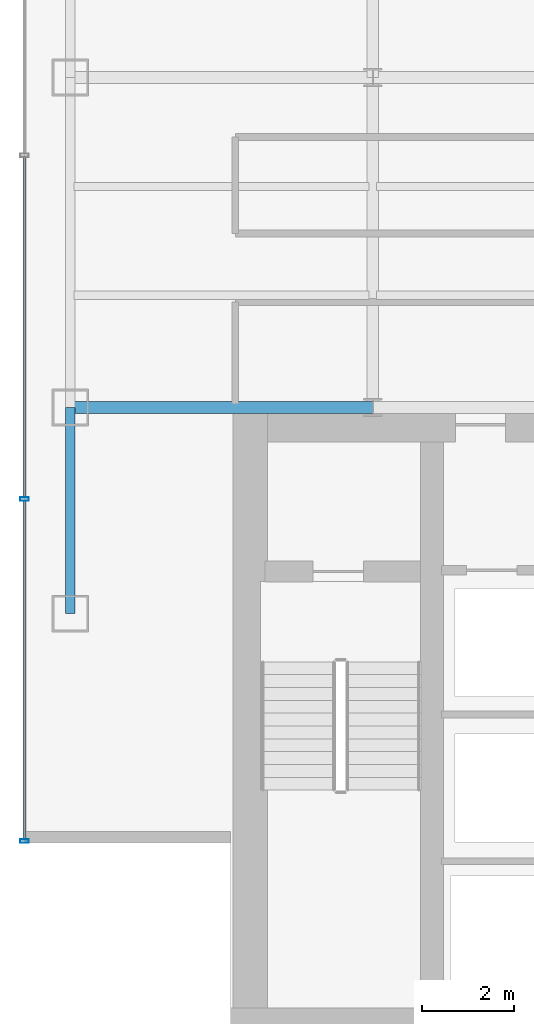
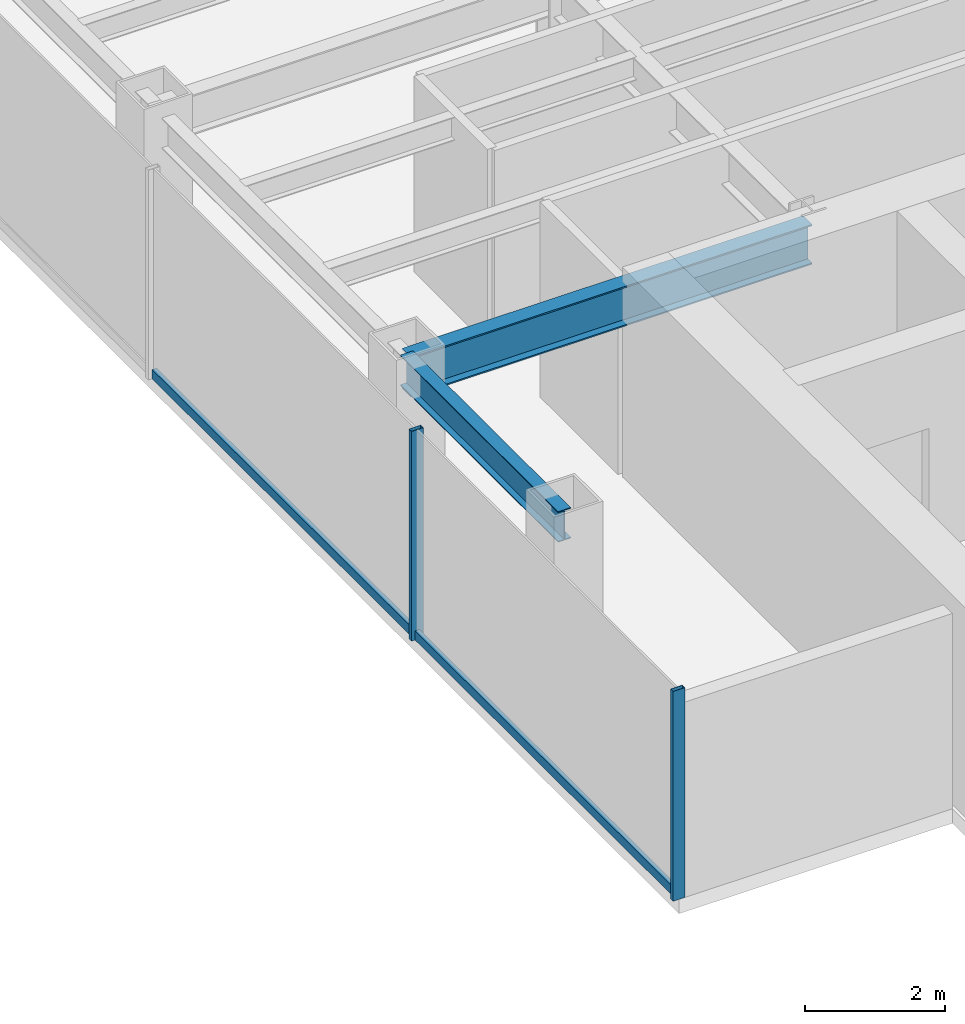
# One storey, part 2 of 26: 4 members, 2 beams, 1 element without a shape of its own.
"""IFC4 building model written with IfcOpenShell, lengths in metres."""

from ifc_helpers import new_model, si_unit, derived_unit, direction, frame, origin, origin_2d, place, context, subcontext, project, spatial, hollow_rectangle, i_section, extrude, source, transform, mapped, material, material_profile, profile_set, type_object, element, aggregate, save


model = new_model("IFC4")

# Units and contexts
model_context = context("Model", 3, precision=1e-05, world=origin(), true_north=direction((0.0, 1.0)))
body_context = subcontext(model_context, "Body", "Model", "MODEL_VIEW")
ifc_project = project(units=[si_unit("LENGTHUNIT", "METRE"), si_unit("AREAUNIT", "SQUARE_METRE"), si_unit("VOLUMEUNIT", "CUBIC_METRE"), si_unit("PLANEANGLEUNIT", "RADIAN"), si_unit("MASSUNIT", "GRAM", prefix="KILO"), derived_unit("THERMALTRANSMITTANCEUNIT", [(si_unit("POWERUNIT", "WATT"), 1), (si_unit("LENGTHUNIT", "METRE"), -2), (si_unit("THERMODYNAMICTEMPERATUREUNIT", "KELVIN"), -1)])], contexts=[model_context])

# Site, building, storey
site_placement = place(None, origin())
site = spatial("IfcSite", under=ifc_project, at=site_placement, CompositionType="ELEMENT")
building_placement = place(site_placement, origin())
building = spatial("IfcBuilding", under=site, at=building_placement, Name="Skarnbrae Concourse Arena and Tower", CompositionType="ELEMENT")
storey_placement = place(building_placement, frame((0.0, 0.0, 114.199951171875)))
storey = spatial("IfcBuildingStorey", under=building, at=storey_placement, Name="L28", CompositionType="ELEMENT", Elevation=114.199951171875)

# Beams
ifc_material_1 = material(Name="Steel CSA G40.21 350W", Category="steel")
ifc_material_profile_1 = material_profile(ifc_material_1, i_section(OverallWidth=0.256103515625, OverallDepth=0.693115234375, WebThickness=0.014404296875, FlangeThickness=0.023681640625, at=origin_2d()), Name="W690X170")
ifc_profile_set_1 = profile_set([ifc_material_profile_1], Name="Steel CSA G40.21 350W")
beam_type_1 = type_object("IfcBeamType", Name="BM-GIRD-W690X170", PredefinedType="BEAM", material=ifc_profile_set_1)
shared_shape_1 = source(origin(), body_context, "Body", "SweptSolid", [
    extrude(i_section(OverallWidth=0.256103515625, OverallDepth=0.693115234375, WebThickness=0.014404296875, FlangeThickness=0.023681640625, at=origin_2d()), origin(), (0.0, 0.0, 1.0), 6.60009765625),
])
beam_1_placement = place(storey_placement, frame((1.0, 14.0, 3.053466796875), z_axis=(1.0, 0.0, 0.0), x_axis=(0.0, 1.0, 0.0)))
element("IfcBeam", 1, at=beam_1_placement, inside=storey, type_object=beam_type_1, Name="L28 Primary E-W girder Y14.0-1", PredefinedType="BEAM", context=body_context, shape_type="MappedRepresentation", body=[
    mapped(shared_shape_1, transform((0.0, 0.0, 0.0))),
])
ifc_material_profile_2 = material_profile(ifc_material_1, i_section(OverallWidth=0.208984375, OverallDepth=0.532958984375, WebThickness=0.01025390625, FlangeThickness=0.015625, at=origin_2d()), Name="W530X92")
ifc_profile_set_2 = profile_set([ifc_material_profile_2], Name="Steel CSA G40.21 350W")
beam_type_2 = type_object("IfcBeamType", Name="BM-SPAN-W530X92", PredefinedType="SPANDREL", material=ifc_profile_set_2)
shared_shape_2 = source(origin(), body_context, "Body", "SweptSolid", [
    extrude(i_section(OverallWidth=0.208984375, OverallDepth=0.532958984375, WebThickness=0.01025390625, FlangeThickness=0.015625, at=origin_2d()), origin(), (0.0, 0.0, 1.0), 4.5),
])
beam_2_placement = place(storey_placement, frame((1.0, 9.5, 3.133544921875), z_axis=(0.0, 1.0, 0.0), x_axis=(-1.0, 0.0, 0.0)))
element("IfcBeam", 2, at=beam_2_placement, inside=storey, type_object=beam_type_2, Name="L28 Perimeter spandrel X1.0-1", PredefinedType="SPANDREL", context=body_context, shape_type="MappedRepresentation", body=[
    mapped(shared_shape_2, transform((0.0, 0.0, 0.0))),
])

# Curtain wall, members
ifc_material_2 = material(Name="Bronze anodised aluminium 6063-T6", Category="aluminium")
curtain_wall_type = type_object("IfcCurtainWallType", Name="CW-SYS-04-MIDZONE", PredefinedType="USERDEFINED", material=ifc_material_2)
curtain_wall_placement = place(storey_placement, origin())
curtain_wall = element("IfcCurtainWall", 3, at=curtain_wall_placement, inside=storey, type_object=curtain_wall_type, Name="L28 Unitised curtain wall CW-L28-E19", ObjectType="UNITISED CURTAIN WALL", PredefinedType="USERDEFINED")
ifc_material_profile_3 = material_profile(ifc_material_2, hollow_rectangle(XDim=0.074951171875, YDim=0.195068359375, WallThickness=0.00439453125, at=origin_2d()), Name="ALU-MULL-75X195")
ifc_profile_set_3 = profile_set([ifc_material_profile_3], Name="Bronze anodised aluminium 6063-T6")
member_type_1 = type_object("IfcMemberType", Name="CWM-CW-04", PredefinedType="MULLION", material=ifc_profile_set_3)
shared_shape_3 = source(origin(), body_context, "Body", "SweptSolid", [
    extrude(hollow_rectangle(XDim=0.074951171875, YDim=0.195068359375, WallThickness=0.00439453125, at=origin_2d()), origin(), (0.0, 0.0, 1.0), 3.650146484375),
])
member_1_placement = place(storey_placement, frame((0.0, 12.0, 0.0), z_axis=(0.0, 0.0, 1.0), x_axis=(0.0, -1.0, 0.0)))
member_1 = element("IfcMember", 4, at=member_1_placement, type_object=member_type_1, Name="CW-L28-E19 Mullion 4", PredefinedType="MULLION", context=body_context, shape_type="MappedRepresentation", body=[
    mapped(shared_shape_3, transform((0.0, 0.0, 0.0))),
])
member_2_placement = place(storey_placement, frame((0.0, 4.53759765625, 0.0), z_axis=(0.0, 0.0, 1.0), x_axis=(0.0, -1.0, 0.0)))
member_2 = element("IfcMember", 5, at=member_2_placement, type_object=member_type_1, Name="CW-L28-E19 Mullion 5", PredefinedType="MULLION", context=body_context, shape_type="MappedRepresentation", body=[
    mapped(shared_shape_3, transform((0.0, 0.0, 0.0))),
])
ifc_material_profile_4 = material_profile(ifc_material_2, hollow_rectangle(XDim=0.074951171875, YDim=0.159912109375, WallThickness=0.00439453125, at=origin_2d()), Name="ALU-TRAN-75X160")
ifc_profile_set_4 = profile_set([ifc_material_profile_4], Name="Bronze anodised aluminium 6063-T6")
member_type_2 = type_object("IfcMemberType", Name="CWT-CW-04", PredefinedType="USERDEFINED", material=ifc_profile_set_4)
shared_shape_4 = source(origin(), body_context, "Body", "SweptSolid", [
    extrude(hollow_rectangle(XDim=0.074951171875, YDim=0.159912109375, WallThickness=0.00439453125, at=origin_2d()), origin(), (0.0, 0.0, 1.0), 7.387451171875),
])
member_3_placement = place(storey_placement, frame((0.0, 11.96240234375, 0.080078125), z_axis=(0.0, -1.0, 0.0), x_axis=(1.0, 0.0, 0.0)))
member_3 = element("IfcMember", 6, at=member_3_placement, type_object=member_type_2, Name="CW-L28-E19 Transom 4", ObjectType="TRANSOM", PredefinedType="USERDEFINED", context=body_context, shape_type="MappedRepresentation", body=[
    mapped(shared_shape_4, transform((0.0, 0.0, 0.0))),
])
shared_shape_5 = source(origin(), body_context, "Body", "SweptSolid", [
    extrude(hollow_rectangle(XDim=0.074951171875, YDim=0.159912109375, WallThickness=0.00439453125, at=origin_2d()), origin(), (0.0, 0.0, 1.0), 7.4248046875),
])
member_4_placement = place(storey_placement, frame((0.0, 19.46240234375, 0.080078125), z_axis=(0.0, -1.0, 0.0), x_axis=(1.0, 0.0, 0.0)))
member_4 = element("IfcMember", 7, at=member_4_placement, type_object=member_type_2, Name="CW-L28-E19 Transom 3", ObjectType="TRANSOM", PredefinedType="USERDEFINED", context=body_context, shape_type="MappedRepresentation", body=[
    mapped(shared_shape_5, transform((0.0, 0.0, 0.0))),
])
aggregate(curtain_wall, [member_1, member_2, member_4, member_3])

save(model, "model.ifc")
